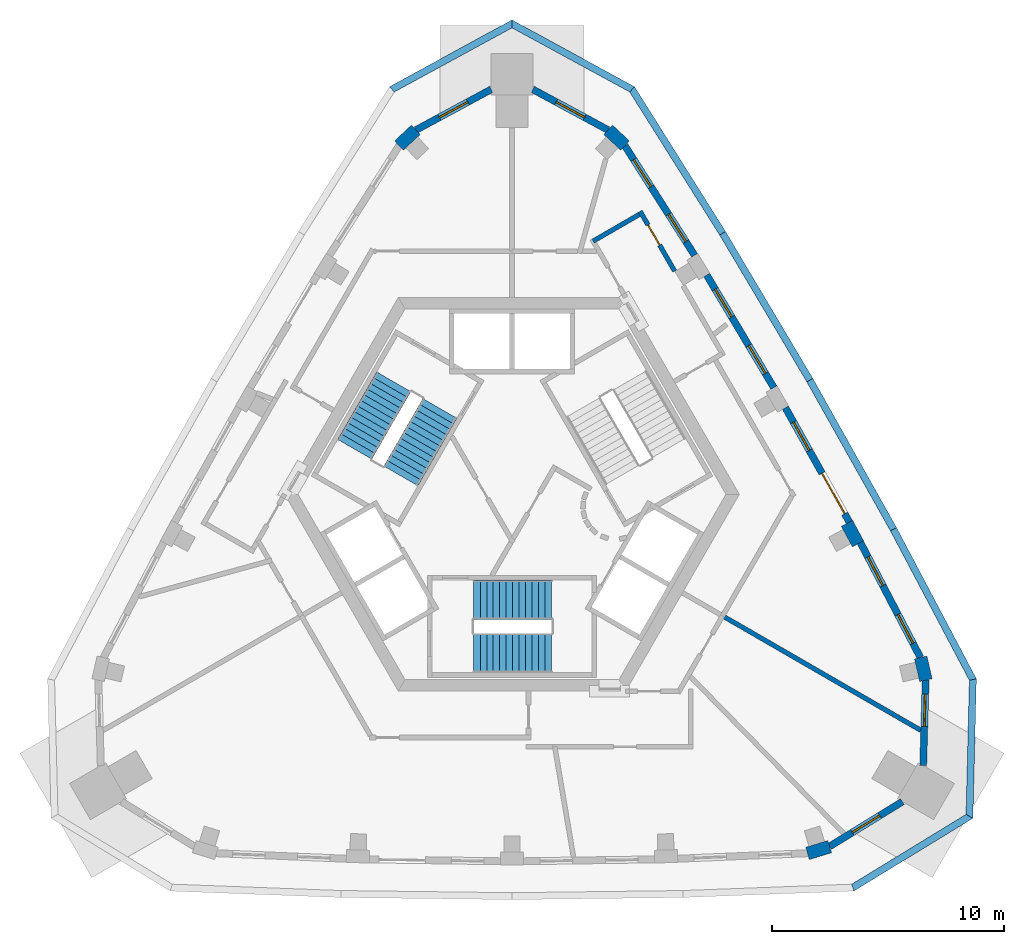
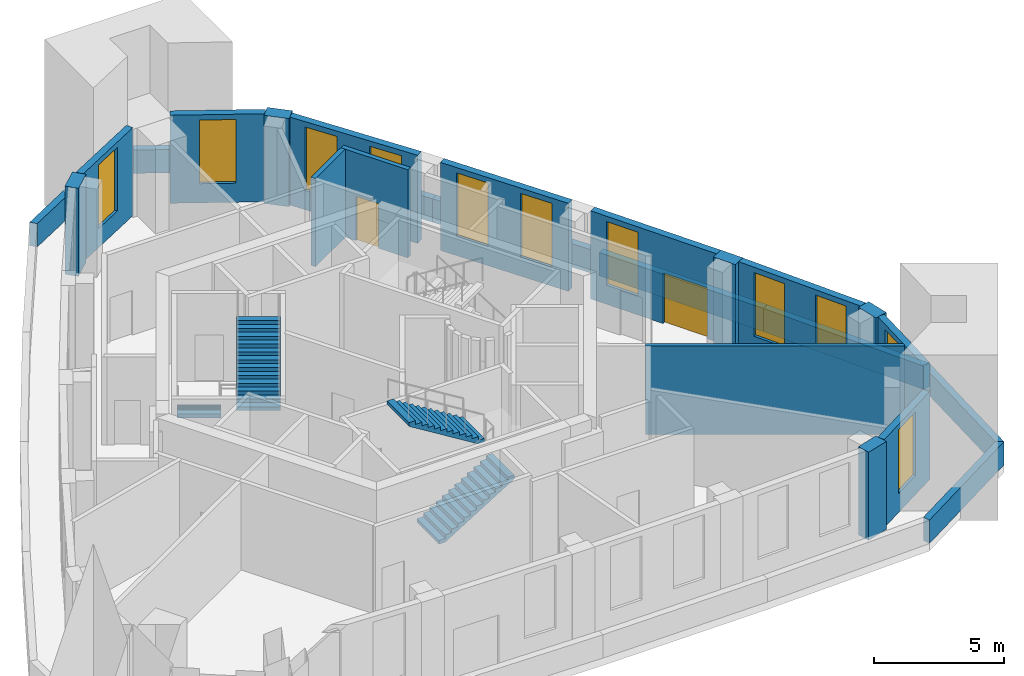
# One storey, part 5 of 7: 24 walls, 11 windows, 4 stair flights, 2 doors, 13 openings, 2 elements without a shape of their own.
"""IFC4 building model written with IfcOpenShell, lengths in metres."""

from ifc_helpers import new_model, si_unit, direction, frame, frame_2d, origin, place, context, subcontext, project, spatial, polyline, rectangle, outline, extrude, material, layer, layer_set, type_object, element, fill, aggregate, save


model = new_model("IFC4")

# Units and contexts
model_context = context("Model", 3, precision=1e-05, world=origin(), true_north=direction((0.0, 1.0)))
body_context = subcontext(model_context, "Body", "Model", "MODEL_VIEW")
ifc_project = project(units=[si_unit("LENGTHUNIT", "METRE"), si_unit("AREAUNIT", "SQUARE_METRE"), si_unit("VOLUMEUNIT", "CUBIC_METRE"), si_unit("PLANEANGLEUNIT", "RADIAN"), si_unit("MASSUNIT", "GRAM", prefix="KILO")], contexts=[model_context])

# Site, building, storey
site_placement = place(None, origin())
site = spatial("IfcSite", under=ifc_project, at=site_placement, CompositionType="ELEMENT")
building_placement = place(site_placement, origin())
building = spatial("IfcBuilding", under=site, at=building_placement, Name="Entoto Arch Interchange Tower", CompositionType="ELEMENT")
storey_placement = place(building_placement, frame((0.0, 0.0, 349.39990234375)))
storey = spatial("IfcBuildingStorey", under=building, at=storey_placement, Name="L82", CompositionType="ELEMENT", Elevation=349.39990234375)

# Walls
ifc_material_1 = material(Name="Board-marked precast concrete C50/60", Category="concrete")
ifc_layer_1 = layer(ifc_material_1, 0.300048828125)
ifc_layer_set_1 = layer_set([ifc_layer_1], Name="Board-marked precast concrete C50/60")
wall_type_1 = type_object("IfcWallType", Name="PARAPET PRECAST 300", PredefinedType="PARAPET", material=ifc_layer_set_1)
wall_1_placement = place(storey_placement, origin())
element("IfcWall", 1, at=wall_1_placement, inside=storey, type_object=wall_type_1, Name="Setback roof parapet L82 5", PredefinedType="PARAPET", context=body_context, shape_type="SweptSolid", body=[
    extrude(outline(polyline([(14.757080078125, -14.6298828125), (19.89794921875, -11.488037109375), (19.60205078125, -11.31689453125), (14.6669921875, -14.3330078125), (14.757080078125, -14.6298828125)])), origin(), (0.0, 0.0, 1.0), 1.10009765625),
])
wall_2_placement = place(storey_placement, origin())
element("IfcWall", 2, at=wall_2_placement, inside=storey, type_object=wall_type_1, Name="Setback roof parapet L82 6", PredefinedType="PARAPET", context=body_context, shape_type="SweptSolid", body=[
    extrude(outline(polyline([(19.89794921875, -11.488037109375), (20.049072265625, -5.465087890625), (19.7470703125, -5.535888671875), (19.60205078125, -11.31689453125), (19.89794921875, -11.488037109375)])), origin(), (0.0, 0.0, 1.0), 1.10009765625),
])
wall_3_placement = place(storey_placement, origin())
element("IfcWall", 3, at=wall_3_placement, inside=storey, type_object=wall_type_1, Name="Setback roof parapet L82 7", PredefinedType="PARAPET", context=body_context, shape_type="SweptSolid", body=[
    extrude(outline(polyline([(20.049072265625, -5.465087890625), (16.60107421875, 1.06201171875), (16.337890625, 0.9189453125), (19.7470703125, -5.535888671875), (20.049072265625, -5.465087890625)])), origin(), (0.0, 0.0, 1.0), 1.10009765625),
])
wall_4_placement = place(storey_placement, origin())
element("IfcWall", 4, at=wall_4_placement, inside=storey, type_object=wall_type_1, Name="Setback roof parapet L82 8", PredefinedType="PARAPET", context=body_context, shape_type="SweptSolid", body=[
    extrude(outline(polyline([(16.60107421875, 1.06201171875), (12.989990234375, 7.5), (12.72998046875, 7.35009765625), (16.337890625, 0.9189453125), (16.60107421875, 1.06201171875)])), origin(), (0.0, 0.0, 1.0), 1.10009765625),
])
wall_5_placement = place(storey_placement, origin())
element("IfcWall", 5, at=wall_5_placement, inside=storey, type_object=wall_type_1, Name="Setback roof parapet L82 9", PredefinedType="PARAPET", context=body_context, shape_type="SweptSolid", body=[
    extrude(outline(polyline([(12.989990234375, 7.5), (9.219970703125, 13.845947265625), (8.964111328125, 13.68994140625), (12.72998046875, 7.35009765625), (12.989990234375, 7.5)])), origin(), (0.0, 0.0, 1.0), 1.10009765625),
])
wall_6_placement = place(storey_placement, origin())
element("IfcWall", 6, at=wall_6_placement, inside=storey, type_object=wall_type_1, Name="Setback roof parapet L82 10", PredefinedType="PARAPET", context=body_context, shape_type="SweptSolid", body=[
    extrude(outline(polyline([(9.219970703125, 13.845947265625), (5.291015625, 20.094970703125), (5.0791015625, 19.868896484375), (8.964111328125, 13.68994140625), (9.219970703125, 13.845947265625)])), origin(), (0.0, 0.0, 1.0), 1.10009765625),
])
wall_7_placement = place(storey_placement, origin())
element("IfcWall", 7, at=wall_7_placement, inside=storey, type_object=wall_type_1, Name="Setback roof parapet L82 11", PredefinedType="PARAPET", context=body_context, shape_type="SweptSolid", body=[
    extrude(outline(polyline([(5.291015625, 20.094970703125), (0.0, 22.97607421875), (0.0, 22.634033203125), (5.0791015625, 19.868896484375), (5.291015625, 20.094970703125)])), origin(), (0.0, 0.0, 1.0), 1.10009765625),
])
wall_8_placement = place(storey_placement, origin())
element("IfcWall", 8, at=wall_8_placement, inside=storey, type_object=wall_type_1, Name="Setback roof parapet L82 12", PredefinedType="PARAPET", context=body_context, shape_type="SweptSolid", body=[
    extrude(outline(polyline([(0.0, 22.97607421875), (-5.291015625, 20.094970703125), (-5.0791015625, 19.868896484375), (0.0, 22.634033203125), (0.0, 22.97607421875)])), origin(), (0.0, 0.0, 1.0), 1.10009765625),
])
ifc_material_2 = material(Name="Gypsum board partition on steel studs", Category="steel")
ifc_layer_2 = layer(ifc_material_2, 0.199951171875)
ifc_layer_set_2 = layer_set([ifc_layer_2], Name="Gypsum board partition on steel studs")
wall_type_2 = type_object("IfcWallType", Name="PARTITION 200", PredefinedType="PARTITIONING", material=ifc_layer_set_2)
wall_9_placement = place(storey_placement, frame((9.006103515625, -2.699951171875, 0.0), z_axis=(0.0, 0.0, 1.0), x_axis=(0.866016483303, -0.500015450408, 0.0)))
element("IfcWall", 9, at=wall_9_placement, inside=storey, type_object=wall_type_2, Name="wall:L82:p025", PredefinedType="PARTITIONING", context=body_context, shape_type="SweptSolid", body=[
    extrude(rectangle(XDim=9.977783203125, YDim=0.199951171875, at=frame_2d((4.98876953125, 0.0))), origin(), (0.0, 0.0, 1.0), 4.150146484375),
])

# Wall, opening, door
wall_10_placement = place(storey_placement, frame((5.531982421875, 14.717041015625, 0.0), z_axis=(0.0, 0.0, 1.0), x_axis=(0.499916141899, -0.866073813868, 0.0)))
wall_10 = element("IfcWall", 10, at=wall_10_placement, inside=storey, type_object=wall_type_2, Name="wall:L82:p028", PredefinedType="PARTITIONING", context=body_context, shape_type="SweptSolid", body=[
    extrude(rectangle(XDim=2.982421875, YDim=0.199951171875, at=frame_2d((1.4912109375, 0.0))), origin(), (0.0, 0.0, 1.0), 4.150146484375),
])
opening_1_placement = place(wall_10_placement, frame((0.679931640625, 0.0, 0.0)))
opening_1 = element("IfcOpeningElement", 11, at=opening_1_placement, cuts=wall_10, Name="Opening L82-D08", PredefinedType="OPENING", context=body_context, shape_type="SweptSolid", body=[
    extrude(rectangle(XDim=1.0, YDim=2.10009765625, at=frame_2d((0.5, 1.050048828125))), frame((0.0, 0.10986328125, 0.0), z_axis=(0.0, -1.0, 0.0), x_axis=(1.0, 0.0, 0.0)), (0.0, 0.0, 1.0), 0.219970703125),
])
ifc_material_3 = material(Name="Fire-rated Steel S235 door and frame", Category="steel")
door_type_1 = type_object("IfcDoorType", Name="DOOR FD-10 1000x2100", OperationType="SINGLE_SWING_LEFT", PredefinedType="DOOR", material=ifc_material_3)
door_1_placement = place(opening_1_placement, origin())
door_1 = element("IfcDoor", 12, at=door_1_placement, inside=storey, type_object=door_type_1, Name="door:L82:08", OperationType="SINGLE_SWING_LEFT", OverallHeight=2.10009765625, OverallWidth=1.0, PredefinedType="DOOR", context=body_context, shape_type="SweptSolid", body=[
    extrude(rectangle(XDim=1.0, YDim=2.10009765625, at=frame_2d((0.5, 1.050048828125))), frame((0.0, 0.02490234375, 0.0), z_axis=(0.0, -1.0, 0.0), x_axis=(1.0, 0.0, 0.0)), (0.0, 0.0, 1.0), 0.050048828125),
])
fill(opening_1, door_1)

# Wall
wall_11_placement = place(storey_placement, frame((3.50390625, 13.429931640625, 0.0), z_axis=(0.0, 0.0, 1.0), x_axis=(0.865927408828, 0.500169693844, 0.0)))
element("IfcWall", 13, at=wall_11_placement, inside=storey, type_object=wall_type_2, Name="wall:L82:p030", PredefinedType="PARTITIONING", context=body_context, shape_type="SweptSolid", body=[
    extrude(rectangle(XDim=2.299560546875, YDim=0.199951171875, at=frame_2d((1.14990234375, 0.0))), origin(), (0.0, 0.0, 1.0), 4.150146484375),
])

# Wall, opening, window
ifc_material_4 = material(Name="Welded tuff (ignimbrite) cladding, warm buff", Category="masonry")
ifc_layer_3 = layer(ifc_material_4, 0.300048828125)
ifc_layer_set_3 = layer_set([ifc_layer_3], Name="Welded tuff (ignimbrite) cladding, warm buff")
wall_type_3 = type_object("IfcWallType", Name="STONE INFILL WALL 300", PredefinedType="STANDARD", material=ifc_layer_set_3)
wall_12_placement = place(storey_placement, frame((13.714111328125, -12.702880859375, 0.0), z_axis=(0.0, 0.0, 1.0), x_axis=(0.851583283947, 0.524219334345, 0.0)))
wall_12 = element("IfcWall", 14, at=wall_12_placement, inside=storey, type_object=wall_type_3, Name="Facade wall SE-01 L82", PredefinedType="STANDARD", context=body_context, shape_type="SweptSolid", body=[
    extrude(rectangle(XDim=3.68701171875, YDim=0.300048828125, at=frame_2d((1.843505859375, 0.0))), origin(), (0.0, 0.0, 1.0), 4.150146484375),
])
opening_2_placement = place(wall_12_placement, frame((1.14404296875, 0.0, 0.89990234375)))
opening_2 = element("IfcOpeningElement", 15, at=opening_2_placement, cuts=wall_12, Name="Opening WK-B", PredefinedType="OPENING", context=body_context, shape_type="SweptSolid", body=[
    extrude(rectangle(XDim=1.39990234375, YDim=3.0, at=frame_2d((0.699951171875, 1.5))), frame((0.0, 0.16015625, 0.0), z_axis=(0.0, -1.0, 0.0), x_axis=(1.0, 0.0, 0.0)), (0.0, 0.0, 1.0), 0.320068359375),
])
ifc_material_5 = material(Name="Clear glass, low-e double glazed", Category="glass")
window_type = type_object("IfcWindowType", Name="WINDOW WK-B 1400x3000", PartitioningType="DOUBLE_PANEL_VERTICAL", PredefinedType="WINDOW", material=ifc_material_5)
window_1_placement = place(opening_2_placement, origin())
window_1 = element("IfcWindow", 16, at=window_1_placement, inside=storey, type_object=window_type, Name="Window WK-B SE-01 L82", OverallHeight=3.0, OverallWidth=1.39990234375, PartitioningType="SINGLE_PANEL", PredefinedType="WINDOW", context=body_context, shape_type="SweptSolid", body=[
    extrude(rectangle(XDim=1.39990234375, YDim=3.0, at=frame_2d((0.699951171875, 1.5))), frame((0.0, 0.030029296875, 0.0), z_axis=(0.0, -1.0, 0.0), x_axis=(1.0, 0.0, 0.0)), (0.0, 0.0, 1.0), 0.06005859375),
])
fill(opening_2, window_1)

wall_13_placement = place(storey_placement, frame((17.7529296875, -9.2119140625, 0.0), z_axis=(0.0, 0.0, 1.0), x_axis=(0.028453984805, 0.999595103404, 0.0)))
wall_13 = element("IfcWall", 17, at=wall_13_placement, inside=storey, type_object=wall_type_3, Name="Facade wall SE-02 L82", PredefinedType="STANDARD", context=body_context, shape_type="SweptSolid", body=[
    extrude(rectangle(XDim=3.689453125, YDim=0.300048828125, at=frame_2d((1.8447265625, 0.0))), origin(), (0.0, 0.0, 1.0), 4.150146484375),
])
opening_3_placement = place(wall_13_placement, frame((1.68896484375, 0.0, 0.89990234375)))
opening_3 = element("IfcOpeningElement", 18, at=opening_3_placement, cuts=wall_13, Name="Opening WK-B", PredefinedType="OPENING", context=body_context, shape_type="SweptSolid", body=[
    extrude(rectangle(XDim=1.39990234375, YDim=3.0, at=frame_2d((0.699951171875, 1.5))), frame((0.0, 0.16015625, 0.0), z_axis=(0.0, -1.0, 0.0), x_axis=(1.0, 0.0, 0.0)), (0.0, 0.0, 1.0), 0.320068359375),
])
window_2_placement = place(opening_3_placement, origin())
window_2 = element("IfcWindow", 19, at=window_2_placement, inside=storey, type_object=window_type, Name="Window WK-B SE-02 L82", OverallHeight=3.0, OverallWidth=1.39990234375, PartitioningType="SINGLE_PANEL", PredefinedType="WINDOW", context=body_context, shape_type="SweptSolid", body=[
    extrude(rectangle(XDim=1.39990234375, YDim=3.0, at=frame_2d((0.699951171875, 1.5))), frame((0.0, 0.030029296875, 0.0), z_axis=(0.0, -1.0, 0.0), x_axis=(1.0, 0.0, 0.0)), (0.0, 0.0, 1.0), 0.06005859375),
])
fill(opening_3, window_2)

# Wall, openings, windows
wall_14_placement = place(storey_placement, frame((17.634033203125, -4.552001953125, 0.0), z_axis=(0.0, 0.0, 1.0), x_axis=(-0.462629991654, 0.886551459771, 0.0)))
wall_14 = element("IfcWall", 20, at=wall_14_placement, inside=storey, type_object=wall_type_3, Name="Facade wall NE-01 L82", PredefinedType="STANDARD", context=body_context, shape_type="SweptSolid", body=[
    extrude(rectangle(XDim=5.607177734375, YDim=0.300048828125, at=frame_2d((2.8037109375, 0.0))), origin(), (0.0, 0.0, 1.0), 4.150146484375),
])
opening_4_placement = place(wall_14_placement, frame((0.701904296875, 0.0, 0.89990234375)))
opening_4 = element("IfcOpeningElement", 21, at=opening_4_placement, cuts=wall_14, Name="Opening WK-B", PredefinedType="OPENING", context=body_context, shape_type="SweptSolid", body=[
    extrude(rectangle(XDim=1.39990234375, YDim=3.0, at=frame_2d((0.699951171875, 1.5))), frame((0.0, 0.16015625, 0.0), z_axis=(0.0, -1.0, 0.0), x_axis=(1.0, 0.0, 0.0)), (0.0, 0.0, 1.0), 0.320068359375),
])
opening_5_placement = place(wall_14_placement, frame((3.5048828125, 0.0, 0.89990234375)))
opening_5 = element("IfcOpeningElement", 22, at=opening_5_placement, cuts=wall_14, Name="Opening WK-B", PredefinedType="OPENING", context=body_context, shape_type="SweptSolid", body=[
    extrude(rectangle(XDim=1.39990234375, YDim=3.0, at=frame_2d((0.699951171875, 1.5))), frame((0.0, 0.16015625, 0.0), z_axis=(0.0, -1.0, 0.0), x_axis=(1.0, 0.0, 0.0)), (0.0, 0.0, 1.0), 0.320068359375),
])
window_3_placement = place(opening_4_placement, origin())
window_3 = element("IfcWindow", 23, at=window_3_placement, inside=storey, type_object=window_type, Name="Window WK-B NE-01 L82", OverallHeight=3.0, OverallWidth=1.39990234375, PartitioningType="SINGLE_PANEL", PredefinedType="WINDOW", context=body_context, shape_type="SweptSolid", body=[
    extrude(rectangle(XDim=1.39990234375, YDim=3.0, at=frame_2d((0.699951171875, 1.5))), frame((0.0, 0.030029296875, 0.0), z_axis=(0.0, -1.0, 0.0), x_axis=(1.0, 0.0, 0.0)), (0.0, 0.0, 1.0), 0.06005859375),
])
fill(opening_4, window_3)
window_4_placement = place(opening_5_placement, origin())
window_4 = element("IfcWindow", 24, at=window_4_placement, inside=storey, type_object=window_type, Name="Window WK-B NE-01 L82", OverallHeight=3.0, OverallWidth=1.39990234375, PartitioningType="SINGLE_PANEL", PredefinedType="WINDOW", context=body_context, shape_type="SweptSolid", body=[
    extrude(rectangle(XDim=1.39990234375, YDim=3.0, at=frame_2d((0.699951171875, 1.5))), frame((0.0, 0.030029296875, 0.0), z_axis=(0.0, -1.0, 0.0), x_axis=(1.0, 0.0, 0.0)), (0.0, 0.0, 1.0), 0.06005859375),
])
fill(opening_5, window_4)

# Wall, openings, door, window
wall_15_placement = place(storey_placement, frame((14.56591796875, 1.297119140625, 0.0), z_axis=(0.0, 0.0, 1.0), x_axis=(-0.487863884296, 0.872919715896, 0.0)))
wall_15 = element("IfcWall", 25, at=wall_15_placement, inside=storey, type_object=wall_type_3, Name="Facade wall NE-02 L82", PredefinedType="STANDARD", context=body_context, shape_type="SweptSolid", body=[
    extrude(rectangle(XDim=5.661376953125, YDim=0.300048828125, at=frame_2d((2.83056640625, 0.0))), origin(), (0.0, 0.0, 1.0), 4.150146484375),
])
opening_6_placement = place(wall_15_placement, frame((0.4150390625, 0.0, 0.0)))
opening_6 = element("IfcOpeningElement", 26, at=opening_6_placement, cuts=wall_15, Name="Opening DT-NE-02-L82", PredefinedType="OPENING", context=body_context, shape_type="SweptSolid", body=[
    extrude(rectangle(XDim=2.0, YDim=2.39990234375, at=frame_2d((1.0, 1.199951171875))), frame((0.0, 0.16015625, 0.0), z_axis=(0.0, -1.0, 0.0), x_axis=(1.0, 0.0, 0.0)), (0.0, 0.0, 1.0), 0.320068359375),
])
opening_7_placement = place(wall_15_placement, frame((3.5458984375, 0.0, 0.89990234375)))
opening_7 = element("IfcOpeningElement", 27, at=opening_7_placement, cuts=wall_15, Name="Opening WK-B", PredefinedType="OPENING", context=body_context, shape_type="SweptSolid", body=[
    extrude(rectangle(XDim=1.39990234375, YDim=3.0, at=frame_2d((0.699951171875, 1.5))), frame((0.0, 0.16015625, 0.0), z_axis=(0.0, -1.0, 0.0), x_axis=(1.0, 0.0, 0.0)), (0.0, 0.0, 1.0), 0.320068359375),
])
ifc_material_6 = material(Name="Aluminium and clear glass, anodised", Category="aluminium")
door_type_2 = type_object("IfcDoorType", Name="TERRACE DOOR DT 2000x2400", OperationType="SLIDING_TO_LEFT", PredefinedType="DOOR", material=ifc_material_6)
door_2_placement = place(opening_6_placement, origin())
door_2 = element("IfcDoor", 28, at=door_2_placement, inside=storey, type_object=door_type_2, Name="Terrace door NE-02 L82", OperationType="SLIDING_TO_LEFT", OverallHeight=2.39990234375, OverallWidth=2.0, PredefinedType="DOOR", context=body_context, shape_type="SweptSolid", body=[
    extrude(rectangle(XDim=2.0, YDim=2.39990234375, at=frame_2d((1.0, 1.199951171875))), frame((0.0, 0.02490234375, 0.0), z_axis=(0.0, -1.0, 0.0), x_axis=(1.0, 0.0, 0.0)), (0.0, 0.0, 1.0), 0.050048828125),
])
fill(opening_6, door_2)
window_5_placement = place(opening_7_placement, origin())
window_5 = element("IfcWindow", 29, at=window_5_placement, inside=storey, type_object=window_type, Name="Window WK-B NE-02 L82", OverallHeight=3.0, OverallWidth=1.39990234375, PartitioningType="SINGLE_PANEL", PredefinedType="WINDOW", context=body_context, shape_type="SweptSolid", body=[
    extrude(rectangle(XDim=1.39990234375, YDim=3.0, at=frame_2d((0.699951171875, 1.5))), frame((0.0, 0.030029296875, 0.0), z_axis=(0.0, -1.0, 0.0), x_axis=(1.0, 0.0, 0.0)), (0.0, 0.0, 1.0), 0.06005859375),
])
fill(opening_7, window_5)

# Wall, openings, windows
wall_16_placement = place(storey_placement, frame((11.304931640625, 7.10400390625, 0.0), z_axis=(0.0, 0.0, 1.0), x_axis=(-0.512115331419, 0.858916694055, 0.0)))
wall_16 = element("IfcWall", 30, at=wall_16_placement, inside=storey, type_object=wall_type_3, Name="Facade wall NE-03 L82", PredefinedType="STANDARD", context=body_context, shape_type="SweptSolid", body=[
    extrude(rectangle(XDim=5.66064453125, YDim=0.300048828125, at=frame_2d((2.830322265625, 0.0))), origin(), (0.0, 0.0, 1.0), 4.150146484375),
])
opening_8_placement = place(wall_16_placement, frame((0.715087890625, 0.0, 0.89990234375)))
opening_8 = element("IfcOpeningElement", 31, at=opening_8_placement, cuts=wall_16, Name="Opening WK-B", PredefinedType="OPENING", context=body_context, shape_type="SweptSolid", body=[
    extrude(rectangle(XDim=1.39990234375, YDim=3.0, at=frame_2d((0.699951171875, 1.5))), frame((0.0, 0.16015625, 0.0), z_axis=(0.0, -1.0, 0.0), x_axis=(1.0, 0.0, 0.0)), (0.0, 0.0, 1.0), 0.320068359375),
])
opening_9_placement = place(wall_16_placement, frame((3.5458984375, 0.0, 0.89990234375)))
opening_9 = element("IfcOpeningElement", 32, at=opening_9_placement, cuts=wall_16, Name="Opening WK-B", PredefinedType="OPENING", context=body_context, shape_type="SweptSolid", body=[
    extrude(rectangle(XDim=1.39990234375, YDim=3.0, at=frame_2d((0.699951171875, 1.5))), frame((0.0, 0.16015625, 0.0), z_axis=(0.0, -1.0, 0.0), x_axis=(1.0, 0.0, 0.0)), (0.0, 0.0, 1.0), 0.320068359375),
])
window_6_placement = place(opening_8_placement, origin())
window_6 = element("IfcWindow", 33, at=window_6_placement, inside=storey, type_object=window_type, Name="Window WK-B NE-03 L82", OverallHeight=3.0, OverallWidth=1.39990234375, PartitioningType="SINGLE_PANEL", PredefinedType="WINDOW", context=body_context, shape_type="SweptSolid", body=[
    extrude(rectangle(XDim=1.39990234375, YDim=3.0, at=frame_2d((0.699951171875, 1.5))), frame((0.0, 0.030029296875, 0.0), z_axis=(0.0, -1.0, 0.0), x_axis=(1.0, 0.0, 0.0)), (0.0, 0.0, 1.0), 0.06005859375),
])
fill(opening_8, window_6)
window_7_placement = place(opening_9_placement, origin())
window_7 = element("IfcWindow", 34, at=window_7_placement, inside=storey, type_object=window_type, Name="Window WK-B NE-03 L82", OverallHeight=3.0, OverallWidth=1.39990234375, PartitioningType="SINGLE_PANEL", PredefinedType="WINDOW", context=body_context, shape_type="SweptSolid", body=[
    extrude(rectangle(XDim=1.39990234375, YDim=3.0, at=frame_2d((0.699951171875, 1.5))), frame((0.0, 0.030029296875, 0.0), z_axis=(0.0, -1.0, 0.0), x_axis=(1.0, 0.0, 0.0)), (0.0, 0.0, 1.0), 0.06005859375),
])
fill(opening_9, window_7)

wall_17_placement = place(storey_placement, frame((7.883056640625, 12.81591796875, 0.0), z_axis=(0.0, 0.0, 1.0), x_axis=(-0.536531689467, 0.84388017289, 0.0)))
wall_17 = element("IfcWall", 35, at=wall_17_placement, inside=storey, type_object=wall_type_3, Name="Facade wall NE-04 L82", PredefinedType="STANDARD", context=body_context, shape_type="SweptSolid", body=[
    extrude(rectangle(XDim=5.6064453125, YDim=0.300048828125, at=frame_2d((2.80322265625, 0.0))), origin(), (0.0, 0.0, 1.0), 4.150146484375),
])
opening_10_placement = place(wall_17_placement, frame((0.701904296875, 0.0, 0.89990234375)))
opening_10 = element("IfcOpeningElement", 36, at=opening_10_placement, cuts=wall_17, Name="Opening WK-B", PredefinedType="OPENING", context=body_context, shape_type="SweptSolid", body=[
    extrude(rectangle(XDim=1.39990234375, YDim=3.0, at=frame_2d((0.699951171875, 1.5))), frame((0.0, 0.16015625, 0.0), z_axis=(0.0, -1.0, 0.0), x_axis=(1.0, 0.0, 0.0)), (0.0, 0.0, 1.0), 0.320068359375),
])
opening_11_placement = place(wall_17_placement, frame((3.5048828125, 0.0, 0.89990234375)))
opening_11 = element("IfcOpeningElement", 37, at=opening_11_placement, cuts=wall_17, Name="Opening WK-B", PredefinedType="OPENING", context=body_context, shape_type="SweptSolid", body=[
    extrude(rectangle(XDim=1.39990234375, YDim=3.0, at=frame_2d((0.699951171875, 1.5))), frame((0.0, 0.16015625, 0.0), z_axis=(0.0, -1.0, 0.0), x_axis=(1.0, 0.0, 0.0)), (0.0, 0.0, 1.0), 0.320068359375),
])
window_8_placement = place(opening_10_placement, origin())
window_8 = element("IfcWindow", 38, at=window_8_placement, inside=storey, type_object=window_type, Name="Window WK-B NE-04 L82", OverallHeight=3.0, OverallWidth=1.39990234375, PartitioningType="SINGLE_PANEL", PredefinedType="WINDOW", context=body_context, shape_type="SweptSolid", body=[
    extrude(rectangle(XDim=1.39990234375, YDim=3.0, at=frame_2d((0.699951171875, 1.5))), frame((0.0, 0.030029296875, 0.0), z_axis=(0.0, -1.0, 0.0), x_axis=(1.0, 0.0, 0.0)), (0.0, 0.0, 1.0), 0.06005859375),
])
fill(opening_10, window_8)
window_9_placement = place(opening_11_placement, origin())
window_9 = element("IfcWindow", 39, at=window_9_placement, inside=storey, type_object=window_type, Name="Window WK-B NE-04 L82", OverallHeight=3.0, OverallWidth=1.39990234375, PartitioningType="SINGLE_PANEL", PredefinedType="WINDOW", context=body_context, shape_type="SweptSolid", body=[
    extrude(rectangle(XDim=1.39990234375, YDim=3.0, at=frame_2d((0.699951171875, 1.5))), frame((0.0, 0.030029296875, 0.0), z_axis=(0.0, -1.0, 0.0), x_axis=(1.0, 0.0, 0.0)), (0.0, 0.0, 1.0), 0.06005859375),
])
fill(opening_11, window_9)

# Wall, opening, window
wall_18_placement = place(storey_placement, frame((4.14501953125, 18.22802734375, 0.0), z_axis=(0.0, 0.0, 1.0), x_axis=(-0.879900970731, 0.475157112654, 0.0)))
wall_18 = element("IfcWall", 40, at=wall_18_placement, inside=storey, type_object=wall_type_3, Name="Facade wall N-01 L82", PredefinedType="STANDARD", context=body_context, shape_type="SweptSolid", body=[
    extrude(rectangle(XDim=3.689208984375, YDim=0.300048828125, at=frame_2d((1.8447265625, 0.0))), origin(), (0.0, 0.0, 1.0), 4.150146484375),
])
opening_12_placement = place(wall_18_placement, frame((1.14501953125, 0.0, 0.89990234375)))
opening_12 = element("IfcOpeningElement", 41, at=opening_12_placement, cuts=wall_18, Name="Opening WK-B", PredefinedType="OPENING", context=body_context, shape_type="SweptSolid", body=[
    extrude(rectangle(XDim=1.39990234375, YDim=3.0, at=frame_2d((0.699951171875, 1.5))), frame((0.0, 0.16015625, 0.0), z_axis=(0.0, -1.0, 0.0), x_axis=(1.0, 0.0, 0.0)), (0.0, 0.0, 1.0), 0.320068359375),
])
window_10_placement = place(opening_12_placement, origin())
window_10 = element("IfcWindow", 42, at=window_10_placement, inside=storey, type_object=window_type, Name="Window WK-B N-01 L82", OverallHeight=3.0, OverallWidth=1.39990234375, PartitioningType="SINGLE_PANEL", PredefinedType="WINDOW", context=body_context, shape_type="SweptSolid", body=[
    extrude(rectangle(XDim=1.39990234375, YDim=3.0, at=frame_2d((0.699951171875, 1.5))), frame((0.0, 0.030029296875, 0.0), z_axis=(0.0, -1.0, 0.0), x_axis=(1.0, 0.0, 0.0)), (0.0, 0.0, 1.0), 0.06005859375),
])
fill(opening_12, window_10)

wall_19_placement = place(storey_placement, frame((-0.89892578125, 19.98095703125, 0.0), z_axis=(0.0, 0.0, 1.0), x_axis=(-0.879900970731, -0.475157112654, 0.0)))
wall_19 = element("IfcWall", 43, at=wall_19_placement, inside=storey, type_object=wall_type_3, Name="Facade wall N-02 L82", PredefinedType="STANDARD", context=body_context, shape_type="SweptSolid", body=[
    extrude(rectangle(XDim=3.689208984375, YDim=0.300048828125, at=frame_2d((1.8447265625, 0.0))), origin(), (0.0, 0.0, 1.0), 4.150146484375),
])
opening_13_placement = place(wall_19_placement, frame((1.14501953125, 0.0, 0.89990234375)))
opening_13 = element("IfcOpeningElement", 44, at=opening_13_placement, cuts=wall_19, Name="Opening WK-B", PredefinedType="OPENING", context=body_context, shape_type="SweptSolid", body=[
    extrude(rectangle(XDim=1.39990234375, YDim=3.0, at=frame_2d((0.699951171875, 1.5))), frame((0.0, 0.16015625, 0.0), z_axis=(0.0, -1.0, 0.0), x_axis=(1.0, 0.0, 0.0)), (0.0, 0.0, 1.0), 0.320068359375),
])
window_11_placement = place(opening_13_placement, origin())
window_11 = element("IfcWindow", 45, at=window_11_placement, inside=storey, type_object=window_type, Name="Window WK-B N-02 L82", OverallHeight=3.0, OverallWidth=1.39990234375, PartitioningType="SINGLE_PANEL", PredefinedType="WINDOW", context=body_context, shape_type="SweptSolid", body=[
    extrude(rectangle(XDim=1.39990234375, YDim=3.0, at=frame_2d((0.699951171875, 1.5))), frame((0.0, 0.030029296875, 0.0), z_axis=(0.0, -1.0, 0.0), x_axis=(1.0, 0.0, 0.0)), (0.0, 0.0, 1.0), 0.06005859375),
])
fill(opening_13, window_11)

# Walls
ifc_layer_4 = layer(ifc_material_4, 0.550048828125)
ifc_layer_set_4 = layer_set([ifc_layer_4], Name="Welded tuff (ignimbrite) cladding, warm buff")
wall_type_4 = type_object("IfcWallType", Name="STONE PIER CLADDING 550", PredefinedType="STANDARD", material=ifc_layer_set_4)
wall_20_placement = place(storey_placement, frame((17.867919921875, -5.52294921875, 0.0), z_axis=(0.0, 0.0, 1.0), x_axis=(-0.223825449309, 0.974629246556, 0.0)))
element("IfcWall", 46, at=wall_20_placement, inside=storey, type_object=wall_type_4, Name="Stone pier NE01 L82", PredefinedType="STANDARD", context=body_context, shape_type="SweptSolid", body=[
    extrude(rectangle(XDim=1.000244140625, YDim=0.550048828125, at=frame_2d((0.5, 0.0))), origin(), (0.0, 0.0, 1.0), 4.150146484375),
])
wall_21_placement = place(storey_placement, frame((14.93701171875, 0.362060546875, 0.0), z_axis=(0.0, 0.0, 1.0), x_axis=(-0.475874292304, 0.879513307417, 0.0)))
element("IfcWall", 47, at=wall_21_placement, inside=storey, type_object=wall_type_4, Name="Stone pier NE02 L82", PredefinedType="STANDARD", context=body_context, shape_type="SweptSolid", body=[
    extrude(rectangle(XDim=1.00048828125, YDim=0.550048828125, at=frame_2d((0.500244140625, 0.0))), origin(), (0.0, 0.0, 1.0), 4.150146484375),
])
for number, where, z_axis, x_axis, name in (
    (48, (4.882080078125, 17.553955078125, 0.0), (0.0, 0.0, 1.0), (-0.731217625008, 0.682144255182, 0.0), "Stone pier NE05 L82"),
    (49, (-4.15087890625, 18.236083984375, 0.0), (0.0, 0.0, 1.0), (-0.731217625008, -0.682144255182, 0.0), "Stone pier NW01 L82"),
):
    element("IfcWall", number, at=place(storey_placement, frame(where, z_axis=z_axis, x_axis=x_axis)), inside=storey, type_object=wall_type_4, Name=name, PredefinedType="STANDARD", context=body_context, shape_type="SweptSolid", body=[
        extrude(rectangle(XDim=1.0, YDim=0.550048828125, at=frame_2d((0.5, 0.0))), origin(), (0.0, 0.0, 1.0), 4.150146484375),
    ])
wall_22_placement = place(storey_placement, frame((12.760986328125, -13.006103515625, 0.0), z_axis=(0.0, 0.0, 1.0), x_axis=(0.95613166039, 0.292937276563, 0.0)))
element("IfcWall", 50, at=wall_22_placement, inside=storey, type_object=wall_type_4, Name="Stone pier S05 L82", PredefinedType="STANDARD", context=body_context, shape_type="SweptSolid", body=[
    extrude(rectangle(XDim=1.0009765625, YDim=0.550048828125, at=frame_2d((0.50048828125, 0.0))), origin(), (0.0, 0.0, 1.0), 4.150146484375),
])

# Stair, stair flights
ifc_material_7 = material(Name="Concrete C40/50", Category="concrete")
stair_type = type_object("IfcStairType", Name="EXIT STAIR RC 1700", PredefinedType="HALF_TURN_STAIR", material=ifc_material_7)
stair_1_placement = place(storey_placement, origin())
stair_1 = element("IfcStair", 51, at=stair_1_placement, inside=storey, type_object=stair_type, Name="L82 Exit stair S", PredefinedType="HALF_TURN_STAIR")
stair_flight_type = type_object("IfcStairFlightType", Name="EXIT STAIR FLIGHT RC 1700", PredefinedType="STRAIGHT", material=ifc_material_7)
stair_flight_1_placement = place(storey_placement, frame((-1.64990234375, -4.35009765625, 0.0), z_axis=(0.0, 0.0, 1.0), x_axis=(1.0, 0.0, 0.0)))
stair_flight_1 = element("IfcStairFlight", 52, at=stair_flight_1_placement, type_object=stair_flight_type, Name="ST-S flight 1", NumberOfRisers=13, NumberOfTreads=12, PredefinedType="STRAIGHT", RiserHeight=0.173076923, TreadLength=0.28, context=body_context, shape_type="SweptSolid", body=[
    extrude(outline(polyline([(-0.0029296875, 0.0), (-0.0029296875, 0.173095703125), (0.280029296875, 0.173095703125), (0.280029296875, 0.34619140625), (0.56005859375, 0.34619140625), (0.56005859375, 0.519287109375), (0.840087890625, 0.519287109375), (0.840087890625, 0.6923828125), (1.1201171875, 0.6923828125), (1.1201171875, 0.865478515625), (1.39990234375, 0.865478515625), (1.39990234375, 1.03857421875), (1.679931640625, 1.03857421875), (1.679931640625, 1.21142578125), (1.9599609375, 1.21142578125), (1.9599609375, 1.384521484375), (2.239990234375, 1.384521484375), (2.239990234375, 1.5576171875), (2.52001953125, 1.5576171875), (2.52001953125, 1.730712890625), (2.800048828125, 1.730712890625), (2.800048828125, 1.90380859375), (3.080078125, 1.90380859375), (3.080078125, 2.076904296875), (3.360107421875, 2.076904296875), (3.363037109375, 2.076904296875), (3.363037109375, 1.902587890625), (0.28515625, 0.0), (-0.0029296875, 0.0)])), frame((0.0, 0.85009765625, 0.0), z_axis=(0.0, -1.0, 0.0), x_axis=(1.0, 0.0, 0.0)), (0.0, 0.0, 1.0), 1.699951171875),
])
stair_flight_2_placement = place(storey_placement, frame((1.7099609375, -2.050048828125, 2.25), z_axis=(0.0, 0.0, 1.0), x_axis=(-1.0, 0.0, 0.0)))
stair_flight_2 = element("IfcStairFlight", 53, at=stair_flight_2_placement, type_object=stair_flight_type, Name="ST-S flight 2", NumberOfRisers=13, NumberOfTreads=12, PredefinedType="STRAIGHT", RiserHeight=0.173076923, TreadLength=0.28, context=body_context, shape_type="SweptSolid", body=[
    extrude(outline(polyline([(-0.0029296875, 0.0), (-0.0029296875, 0.173095703125), (0.280029296875, 0.173095703125), (0.280029296875, 0.34619140625), (0.56005859375, 0.34619140625), (0.56005859375, 0.519287109375), (0.840087890625, 0.519287109375), (0.840087890625, 0.6923828125), (1.1201171875, 0.6923828125), (1.1201171875, 0.865478515625), (1.39990234375, 0.865478515625), (1.39990234375, 1.03857421875), (1.679931640625, 1.03857421875), (1.679931640625, 1.21142578125), (1.9599609375, 1.21142578125), (1.9599609375, 1.384521484375), (2.239990234375, 1.384521484375), (2.239990234375, 1.5576171875), (2.52001953125, 1.5576171875), (2.52001953125, 1.730712890625), (2.800048828125, 1.730712890625), (2.800048828125, 1.90380859375), (3.080078125, 1.90380859375), (3.080078125, 2.076904296875), (3.360107421875, 2.076904296875), (3.363037109375, 2.076904296875), (3.363037109375, 1.902587890625), (0.28515625, 0.0), (-0.0029296875, 0.0)])), frame((0.0, 0.85009765625, 0.0), z_axis=(0.0, -1.0, 0.0), x_axis=(1.0, 0.0, 0.0)), (0.0, 0.0, 1.0), 1.699951171875),
])
aggregate(stair_1, [stair_flight_1, stair_flight_2])

stair_2_placement = place(storey_placement, origin())
stair_2 = element("IfcStair", 54, at=stair_2_placement, inside=storey, type_object=stair_type, Name="L82 Exit stair NW", PredefinedType="HALF_TURN_STAIR")
stair_flight_3_placement = place(storey_placement, frame((-5.107177734375, 7.35400390625, 0.0), z_axis=(0.0, 0.0, 1.0), x_axis=(-0.5, -0.866025403784, 0.0)))
stair_flight_3 = element("IfcStairFlight", 55, at=stair_flight_3_placement, type_object=stair_flight_type, Name="ST-NW flight 1", NumberOfRisers=13, NumberOfTreads=12, PredefinedType="STRAIGHT", RiserHeight=0.173076923, TreadLength=0.28, context=body_context, shape_type="SweptSolid", body=[
    extrude(outline(polyline([(-0.0029296875, 0.0), (-0.0029296875, 0.173095703125), (0.280029296875, 0.173095703125), (0.280029296875, 0.34619140625), (0.56005859375, 0.34619140625), (0.56005859375, 0.519287109375), (0.840087890625, 0.519287109375), (0.840087890625, 0.6923828125), (1.1201171875, 0.6923828125), (1.1201171875, 0.865478515625), (1.39990234375, 0.865478515625), (1.39990234375, 1.03857421875), (1.679931640625, 1.03857421875), (1.679931640625, 1.21142578125), (1.9599609375, 1.21142578125), (1.9599609375, 1.384521484375), (2.239990234375, 1.384521484375), (2.239990234375, 1.5576171875), (2.52001953125, 1.5576171875), (2.52001953125, 1.730712890625), (2.800048828125, 1.730712890625), (2.800048828125, 1.90380859375), (3.080078125, 1.90380859375), (3.080078125, 2.076904296875), (3.360107421875, 2.076904296875), (3.363037109375, 2.076904296875), (3.363037109375, 1.902587890625), (0.28515625, 0.0), (-0.0029296875, 0.0)])), frame((0.0, 0.85009765625, 0.0), z_axis=(0.0, -1.0, 0.0), x_axis=(1.0, 0.0, 0.0)), (0.0, 0.0, 1.0), 1.699951171875),
])
stair_flight_4_placement = place(storey_placement, frame((-4.79541015625, 3.294189453125, 2.25), z_axis=(0.0, 0.0, 1.0), x_axis=(0.5, 0.866025403784, 0.0)))
stair_flight_4 = element("IfcStairFlight", 56, at=stair_flight_4_placement, type_object=stair_flight_type, Name="ST-NW flight 2", NumberOfRisers=13, NumberOfTreads=12, PredefinedType="STRAIGHT", RiserHeight=0.173076923, TreadLength=0.28, context=body_context, shape_type="SweptSolid", body=[
    extrude(outline(polyline([(-0.0029296875, 0.0), (-0.0029296875, 0.173095703125), (0.280029296875, 0.173095703125), (0.280029296875, 0.34619140625), (0.56005859375, 0.34619140625), (0.56005859375, 0.519287109375), (0.840087890625, 0.519287109375), (0.840087890625, 0.6923828125), (1.1201171875, 0.6923828125), (1.1201171875, 0.865478515625), (1.39990234375, 0.865478515625), (1.39990234375, 1.03857421875), (1.679931640625, 1.03857421875), (1.679931640625, 1.21142578125), (1.9599609375, 1.21142578125), (1.9599609375, 1.384521484375), (2.239990234375, 1.384521484375), (2.239990234375, 1.5576171875), (2.52001953125, 1.5576171875), (2.52001953125, 1.730712890625), (2.800048828125, 1.730712890625), (2.800048828125, 1.90380859375), (3.080078125, 1.90380859375), (3.080078125, 2.076904296875), (3.360107421875, 2.076904296875), (3.363037109375, 2.076904296875), (3.363037109375, 1.902587890625), (0.28515625, 0.0), (-0.0029296875, 0.0)])), frame((0.0, 0.85009765625, 0.0), z_axis=(0.0, -1.0, 0.0), x_axis=(1.0, 0.0, 0.0)), (0.0, 0.0, 1.0), 1.699951171875),
])
aggregate(stair_2, [stair_flight_3, stair_flight_4])

save(model, "model.ifc")
